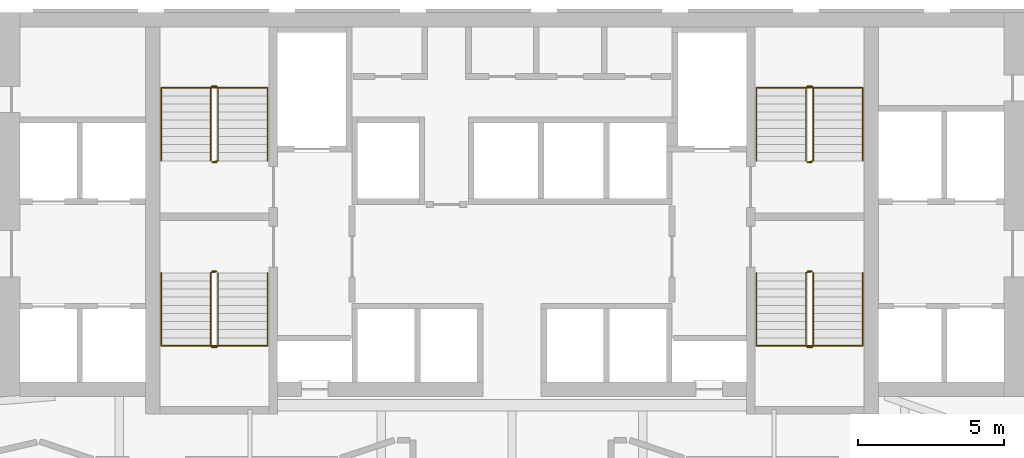
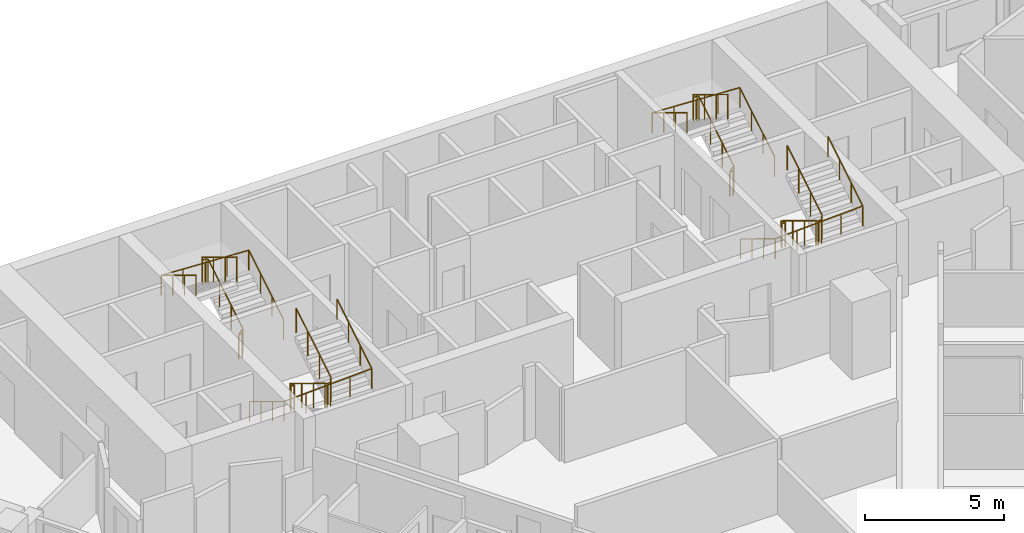
# One storey, part 11 of 11: 8 railings.
"""IFC4 building model written with IfcOpenShell, lengths in metres."""

from ifc_helpers import new_model, si_unit, direction, frame, origin, origin_2d, place, context, subcontext, project, spatial, circle, extrude, material, type_object, element, save


model = new_model("IFC4")

# Units and contexts
model_context = context("Model", 3, precision=1e-05, world=origin(), true_north=direction((0.0, 1.0)))
body_context = subcontext(model_context, "Body", "Model", "MODEL_VIEW")
ifc_project = project(units=[si_unit("LENGTHUNIT", "METRE"), si_unit("AREAUNIT", "SQUARE_METRE"), si_unit("VOLUMEUNIT", "CUBIC_METRE"), si_unit("PLANEANGLEUNIT", "RADIAN"), si_unit("MASSUNIT", "GRAM", prefix="KILO")], contexts=[model_context])

# Site, building, storey
site_placement = place(None, origin())
site = spatial("IfcSite", under=ifc_project, at=site_placement, CompositionType="ELEMENT")
building_placement = place(site_placement, origin())
building = spatial("IfcBuilding", under=site, at=building_placement, Name="Calabash Gate Tower", CompositionType="ELEMENT")
storey_placement = place(building_placement, frame((0.0, 0.0, 52.800048828125)))
storey = spatial("IfcBuildingStorey", under=building, at=storey_placement, Name="L08", CompositionType="ELEMENT", Elevation=52.800048828125)

# Railings
ifc_material_1 = material(Name="Black powder-coated steel balusters", Category="steel")
railing_type_1 = type_object("IfcRailingType", Name="Stair guard RL1100", PredefinedType="GUARDRAIL", material=ifc_material_1)
railing_1_placement = place(storey_placement, frame((-10.14990234375, 13.902587890625, 0.0)))
element("IfcRailing", 1, at=railing_1_placement, inside=storey, type_object=railing_type_1, Name="L08 ST1 stair guard 1", PredefinedType="GUARDRAIL", context=body_context, shape_type="SweptSolid", body=[
    extrude(circle(Radius=0.02392578125, at=origin_2d()), frame((0.0, 0.0, 1.076171875), z_axis=(-1.0, 0.0, 0.0), x_axis=(0.0, -1.0, 0.0)), (0.0, 0.0, 1.0), 0.150146484375),
    extrude(circle(Radius=0.02392578125, at=origin_2d()), frame((-0.150146484375, 0.0, 1.076171875), z_axis=(0.748514443355, 0.187357095101, 0.636100186295), x_axis=(-0.242814311512, 0.970072785993, 0.0)), (0.0, 0.0, 1.0), 0.26708984375),
    extrude(circle(Radius=0.02392578125, at=origin_2d()), frame((0.0498046875, 0.050048828125, 1.24609375), z_axis=(0.0, 0.853956361026, 0.520344629514), x_axis=(-1.0, 0.0, 0.0)), (0.0, 0.0, 1.0), 2.9404296875),
    extrude(circle(Radius=0.02392578125, at=origin_2d()), frame((0.0498046875, 2.56103515625, 2.77587890625), z_axis=(-0.705375805398, 0.708833529934, 0.0), x_axis=(-0.708833529934, -0.705375805398, 0.0)), (0.0, 0.0, 1.0), 0.070556640625),
    extrude(circle(Radius=0.02392578125, at=origin_2d()), frame((0.0, 2.611083984375, 2.77587890625), z_axis=(-1.0, 0.0, 0.0), x_axis=(0.0, -1.0, 0.0)), (0.0, 0.0, 1.0), 0.150146484375),
    extrude(circle(Radius=0.02392578125, at=origin_2d()), frame((-0.150146484375, 2.611083984375, 2.77587890625), z_axis=(-0.271895245746, -0.271895245746, 0.923117517265), x_axis=(0.707106781187, -0.707106781187, 0.0)), (0.0, 0.0, 1.0), 0.18408203125),
    extrude(circle(Radius=0.02392578125, at=origin_2d()), frame((-0.2001953125, 2.56103515625, 2.94580078125), z_axis=(0.0, -0.853956361026, 0.520344629514), x_axis=(1.0, 0.0, 0.0)), (0.0, 0.0, 1.0), 2.9404296875),
    extrude(circle(Radius=0.02099609375, at=origin_2d()), origin(), (0.0, 0.0, 1.0), 1.052001953125),
    extrude(circle(Radius=0.02099609375, at=origin_2d()), frame((-0.150146484375, 0.0, 0.0)), (0.0, 0.0, 1.0), 1.052001953125),
    extrude(circle(Radius=0.02099609375, at=origin_2d()), frame((0.0498046875, 0.050048828125, 0.169921875)), (0.0, 0.0, 1.0), 1.052001953125),
    extrude(circle(Radius=0.02099609375, at=origin_2d()), frame((0.0498046875, 0.886962890625, 0.679931640625)), (0.0, 0.0, 1.0), 1.052001953125),
    extrude(circle(Radius=0.02099609375, at=origin_2d()), frame((0.0498046875, 1.72412109375, 1.18994140625)), (0.0, 0.0, 1.0), 1.052001953125),
    extrude(circle(Radius=0.02099609375, at=origin_2d()), frame((0.0498046875, 2.56103515625, 1.699951171875)), (0.0, 0.0, 1.0), 1.052001953125),
    extrude(circle(Radius=0.02099609375, at=origin_2d()), frame((0.0, 2.611083984375, 1.699951171875)), (0.0, 0.0, 1.0), 1.052001953125),
    extrude(circle(Radius=0.02099609375, at=origin_2d()), frame((-0.150146484375, 2.611083984375, 1.699951171875)), (0.0, 0.0, 1.0), 1.052001953125),
    extrude(circle(Radius=0.02099609375, at=origin_2d()), frame((-0.2001953125, 2.56103515625, 1.869873046875)), (0.0, 0.0, 1.0), 1.052001953125),
    extrude(circle(Radius=0.02099609375, at=origin_2d()), frame((-0.2001953125, 1.72412109375, 2.3798828125)), (0.0, 0.0, 1.0), 1.052001953125),
    extrude(circle(Radius=0.02099609375, at=origin_2d()), frame((-0.2001953125, 0.886962890625, 2.889892578125)), (0.0, 0.0, 1.0), 1.052001953125),
    extrude(circle(Radius=0.02099609375, at=origin_2d()), frame((-0.2001953125, 0.050048828125, 3.39990234375)), (0.0, 0.0, 1.0), 1.052001953125),
])
railing_2_placement = place(storey_placement, frame((-10.300048828125, 10.152587890625, 0.0)))
element("IfcRailing", 2, at=railing_2_placement, inside=storey, type_object=railing_type_1, Name="L08 ST2 stair guard 1", PredefinedType="GUARDRAIL", context=body_context, shape_type="SweptSolid", body=[
    extrude(circle(Radius=0.02392578125, at=origin_2d()), frame((0.0, 0.0, 1.076171875), z_axis=(1.0, 0.0, 0.0), x_axis=(0.0, 1.0, 0.0)), (0.0, 0.0, 1.0), 0.150146484375),
    extrude(circle(Radius=0.02392578125, at=origin_2d()), frame((0.150146484375, 0.0, 1.076171875), z_axis=(-0.748915913269, -0.187228978317, 0.635665214189), x_axis=(0.242535625036, -0.970142500145, 0.0)), (0.0, 0.0, 1.0), 0.267333984375),
    extrude(circle(Radius=0.02392578125, at=origin_2d()), frame((-0.050048828125, -0.050048828125, 1.24609375), z_axis=(0.0, -0.853956361026, 0.520344629514), x_axis=(1.0, 0.0, 0.0)), (0.0, 0.0, 1.0), 2.9404296875),
    extrude(circle(Radius=0.02392578125, at=origin_2d()), frame((-0.050048828125, -2.56103515625, 2.77587890625), z_axis=(0.707106781187, -0.707106781187, 0.0), x_axis=(0.707106781187, 0.707106781187, 0.0)), (0.0, 0.0, 1.0), 0.07080078125),
    extrude(circle(Radius=0.02392578125, at=origin_2d()), frame((0.0, -2.611083984375, 2.77587890625), z_axis=(1.0, 0.0, 0.0), x_axis=(0.0, 1.0, 0.0)), (0.0, 0.0, 1.0), 0.150146484375),
    extrude(circle(Radius=0.02392578125, at=origin_2d()), frame((0.150146484375, -2.611083984375, 2.77587890625), z_axis=(0.270666314514, 0.271993110173, 0.92344977893), x_axis=(-0.708833529934, 0.705375805398, 0.0)), (0.0, 0.0, 1.0), 0.18408203125),
    extrude(circle(Radius=0.02392578125, at=origin_2d()), frame((0.199951171875, -2.56103515625, 2.94580078125), z_axis=(0.0, 0.853956361026, 0.520344629514), x_axis=(-1.0, 0.0, 0.0)), (0.0, 0.0, 1.0), 2.9404296875),
    extrude(circle(Radius=0.02099609375, at=origin_2d()), origin(), (0.0, 0.0, 1.0), 1.052001953125),
    extrude(circle(Radius=0.02099609375, at=origin_2d()), frame((0.150146484375, 0.0, 0.0)), (0.0, 0.0, 1.0), 1.052001953125),
    extrude(circle(Radius=0.02099609375, at=origin_2d()), frame((-0.050048828125, -0.050048828125, 0.169921875)), (0.0, 0.0, 1.0), 1.052001953125),
    extrude(circle(Radius=0.02099609375, at=origin_2d()), frame((-0.050048828125, -0.886962890625, 0.679931640625)), (0.0, 0.0, 1.0), 1.052001953125),
    extrude(circle(Radius=0.02099609375, at=origin_2d()), frame((-0.050048828125, -1.72412109375, 1.18994140625)), (0.0, 0.0, 1.0), 1.052001953125),
    extrude(circle(Radius=0.02099609375, at=origin_2d()), frame((-0.050048828125, -2.56103515625, 1.699951171875)), (0.0, 0.0, 1.0), 1.052001953125),
    extrude(circle(Radius=0.02099609375, at=origin_2d()), frame((0.0, -2.611083984375, 1.699951171875)), (0.0, 0.0, 1.0), 1.052001953125),
    extrude(circle(Radius=0.02099609375, at=origin_2d()), frame((0.150146484375, -2.611083984375, 1.699951171875)), (0.0, 0.0, 1.0), 1.052001953125),
    extrude(circle(Radius=0.02099609375, at=origin_2d()), frame((0.199951171875, -2.56103515625, 1.869873046875)), (0.0, 0.0, 1.0), 1.052001953125),
    extrude(circle(Radius=0.02099609375, at=origin_2d()), frame((0.199951171875, -1.72412109375, 2.3798828125)), (0.0, 0.0, 1.0), 1.052001953125),
    extrude(circle(Radius=0.02099609375, at=origin_2d()), frame((0.199951171875, -0.886962890625, 2.889892578125)), (0.0, 0.0, 1.0), 1.052001953125),
    extrude(circle(Radius=0.02099609375, at=origin_2d()), frame((0.199951171875, -0.050048828125, 3.39990234375)), (0.0, 0.0, 1.0), 1.052001953125),
])
railing_3_placement = place(storey_placement, frame((10.300048828125, 13.902587890625, 0.0)))
element("IfcRailing", 3, at=railing_3_placement, inside=storey, type_object=railing_type_1, Name="L08 ST3 stair guard 1", PredefinedType="GUARDRAIL", context=body_context, shape_type="SweptSolid", body=[
    extrude(circle(Radius=0.02392578125, at=origin_2d()), frame((0.0, 0.0, 1.076171875), z_axis=(-1.0, 0.0, 0.0), x_axis=(0.0, -1.0, 0.0)), (0.0, 0.0, 1.0), 0.150146484375),
    extrude(circle(Radius=0.02392578125, at=origin_2d()), frame((-0.150146484375, 0.0, 1.076171875), z_axis=(0.748915913269, 0.187228978317, 0.635665214189), x_axis=(-0.242535625036, 0.970142500145, 0.0)), (0.0, 0.0, 1.0), 0.267333984375),
    extrude(circle(Radius=0.02392578125, at=origin_2d()), frame((0.050048828125, 0.050048828125, 1.24609375), z_axis=(0.0, 0.853956361026, 0.520344629514), x_axis=(-1.0, 0.0, 0.0)), (0.0, 0.0, 1.0), 2.9404296875),
    extrude(circle(Radius=0.02392578125, at=origin_2d()), frame((0.050048828125, 2.56103515625, 2.77587890625), z_axis=(-0.707106781187, 0.707106781187, 0.0), x_axis=(-0.707106781187, -0.707106781187, 0.0)), (0.0, 0.0, 1.0), 0.07080078125),
    extrude(circle(Radius=0.02392578125, at=origin_2d()), frame((0.0, 2.611083984375, 2.77587890625), z_axis=(-1.0, 0.0, 0.0), x_axis=(0.0, -1.0, 0.0)), (0.0, 0.0, 1.0), 0.150146484375),
    extrude(circle(Radius=0.02392578125, at=origin_2d()), frame((-0.150146484375, 2.611083984375, 2.77587890625), z_axis=(-0.270666314514, -0.271993110173, 0.92344977893), x_axis=(0.708833529934, -0.705375805398, 0.0)), (0.0, 0.0, 1.0), 0.18408203125),
    extrude(circle(Radius=0.02392578125, at=origin_2d()), frame((-0.199951171875, 2.56103515625, 2.94580078125), z_axis=(0.0, -0.853956361026, 0.520344629514), x_axis=(1.0, 0.0, 0.0)), (0.0, 0.0, 1.0), 2.9404296875),
    extrude(circle(Radius=0.02099609375, at=origin_2d()), origin(), (0.0, 0.0, 1.0), 1.052001953125),
    extrude(circle(Radius=0.02099609375, at=origin_2d()), frame((-0.150146484375, 0.0, 0.0)), (0.0, 0.0, 1.0), 1.052001953125),
    extrude(circle(Radius=0.02099609375, at=origin_2d()), frame((0.050048828125, 0.050048828125, 0.169921875)), (0.0, 0.0, 1.0), 1.052001953125),
    extrude(circle(Radius=0.02099609375, at=origin_2d()), frame((0.050048828125, 0.886962890625, 0.679931640625)), (0.0, 0.0, 1.0), 1.052001953125),
    extrude(circle(Radius=0.02099609375, at=origin_2d()), frame((0.050048828125, 1.72412109375, 1.18994140625)), (0.0, 0.0, 1.0), 1.052001953125),
    extrude(circle(Radius=0.02099609375, at=origin_2d()), frame((0.050048828125, 2.56103515625, 1.699951171875)), (0.0, 0.0, 1.0), 1.052001953125),
    extrude(circle(Radius=0.02099609375, at=origin_2d()), frame((0.0, 2.611083984375, 1.699951171875)), (0.0, 0.0, 1.0), 1.052001953125),
    extrude(circle(Radius=0.02099609375, at=origin_2d()), frame((-0.150146484375, 2.611083984375, 1.699951171875)), (0.0, 0.0, 1.0), 1.052001953125),
    extrude(circle(Radius=0.02099609375, at=origin_2d()), frame((-0.199951171875, 2.56103515625, 1.869873046875)), (0.0, 0.0, 1.0), 1.052001953125),
    extrude(circle(Radius=0.02099609375, at=origin_2d()), frame((-0.199951171875, 1.72412109375, 2.3798828125)), (0.0, 0.0, 1.0), 1.052001953125),
    extrude(circle(Radius=0.02099609375, at=origin_2d()), frame((-0.199951171875, 0.886962890625, 2.889892578125)), (0.0, 0.0, 1.0), 1.052001953125),
    extrude(circle(Radius=0.02099609375, at=origin_2d()), frame((-0.199951171875, 0.050048828125, 3.39990234375)), (0.0, 0.0, 1.0), 1.052001953125),
])
railing_4_placement = place(storey_placement, frame((10.14990234375, 10.152587890625, 0.0)))
element("IfcRailing", 4, at=railing_4_placement, inside=storey, type_object=railing_type_1, Name="L08 ST4 stair guard 1", PredefinedType="GUARDRAIL", context=body_context, shape_type="SweptSolid", body=[
    extrude(circle(Radius=0.02392578125, at=origin_2d()), frame((0.0, 0.0, 1.076171875), z_axis=(1.0, 0.0, 0.0), x_axis=(0.0, 1.0, 0.0)), (0.0, 0.0, 1.0), 0.150146484375),
    extrude(circle(Radius=0.02392578125, at=origin_2d()), frame((0.150146484375, 0.0, 1.076171875), z_axis=(-0.748514443355, -0.187357095101, 0.636100186295), x_axis=(0.242814311512, -0.970072785993, 0.0)), (0.0, 0.0, 1.0), 0.26708984375),
    extrude(circle(Radius=0.02392578125, at=origin_2d()), frame((-0.0498046875, -0.050048828125, 1.24609375), z_axis=(0.0, -0.853956361026, 0.520344629514), x_axis=(1.0, 0.0, 0.0)), (0.0, 0.0, 1.0), 2.9404296875),
    extrude(circle(Radius=0.02392578125, at=origin_2d()), frame((-0.0498046875, -2.56103515625, 2.77587890625), z_axis=(0.705375805398, -0.708833529934, 0.0), x_axis=(0.708833529934, 0.705375805398, 0.0)), (0.0, 0.0, 1.0), 0.070556640625),
    extrude(circle(Radius=0.02392578125, at=origin_2d()), frame((0.0, -2.611083984375, 2.77587890625), z_axis=(1.0, 0.0, 0.0), x_axis=(0.0, 1.0, 0.0)), (0.0, 0.0, 1.0), 0.150146484375),
    extrude(circle(Radius=0.02392578125, at=origin_2d()), frame((0.150146484375, -2.611083984375, 2.77587890625), z_axis=(0.271895245746, 0.271895245746, 0.923117517265), x_axis=(-0.707106781187, 0.707106781187, 0.0)), (0.0, 0.0, 1.0), 0.18408203125),
    extrude(circle(Radius=0.02392578125, at=origin_2d()), frame((0.2001953125, -2.56103515625, 2.94580078125), z_axis=(0.0, 0.853956361026, 0.520344629514), x_axis=(-1.0, 0.0, 0.0)), (0.0, 0.0, 1.0), 2.9404296875),
    extrude(circle(Radius=0.02099609375, at=origin_2d()), origin(), (0.0, 0.0, 1.0), 1.052001953125),
    extrude(circle(Radius=0.02099609375, at=origin_2d()), frame((0.150146484375, 0.0, 0.0)), (0.0, 0.0, 1.0), 1.052001953125),
    extrude(circle(Radius=0.02099609375, at=origin_2d()), frame((-0.0498046875, -0.050048828125, 0.169921875)), (0.0, 0.0, 1.0), 1.052001953125),
    extrude(circle(Radius=0.02099609375, at=origin_2d()), frame((-0.0498046875, -0.886962890625, 0.679931640625)), (0.0, 0.0, 1.0), 1.052001953125),
    extrude(circle(Radius=0.02099609375, at=origin_2d()), frame((-0.0498046875, -1.72412109375, 1.18994140625)), (0.0, 0.0, 1.0), 1.052001953125),
    extrude(circle(Radius=0.02099609375, at=origin_2d()), frame((-0.0498046875, -2.56103515625, 1.699951171875)), (0.0, 0.0, 1.0), 1.052001953125),
    extrude(circle(Radius=0.02099609375, at=origin_2d()), frame((0.0, -2.611083984375, 1.699951171875)), (0.0, 0.0, 1.0), 1.052001953125),
    extrude(circle(Radius=0.02099609375, at=origin_2d()), frame((0.150146484375, -2.611083984375, 1.699951171875)), (0.0, 0.0, 1.0), 1.052001953125),
    extrude(circle(Radius=0.02099609375, at=origin_2d()), frame((0.2001953125, -2.56103515625, 1.869873046875)), (0.0, 0.0, 1.0), 1.052001953125),
    extrude(circle(Radius=0.02099609375, at=origin_2d()), frame((0.2001953125, -1.72412109375, 2.3798828125)), (0.0, 0.0, 1.0), 1.052001953125),
    extrude(circle(Radius=0.02099609375, at=origin_2d()), frame((0.2001953125, -0.886962890625, 2.889892578125)), (0.0, 0.0, 1.0), 1.052001953125),
    extrude(circle(Radius=0.02099609375, at=origin_2d()), frame((0.2001953125, -0.050048828125, 3.39990234375)), (0.0, 0.0, 1.0), 1.052001953125),
])
ifc_material_2 = material(Name="Black powder-coated steel tube 48 mm", Category="steel")
railing_type_2 = type_object("IfcRailingType", Name="Stair handrail RL900", PredefinedType="HANDRAIL", material=ifc_material_2)
railing_5_placement = place(storey_placement, frame((-8.39990234375, 13.95263671875, 0.169921875)))
element("IfcRailing", 5, at=railing_5_placement, inside=storey, type_object=railing_type_2, Name="L08 ST1 stair handrail 1", PredefinedType="HANDRAIL", context=body_context, shape_type="SweptSolid", body=[
    extrude(circle(Radius=0.02392578125, at=origin_2d()), frame((0.0, 0.0, 0.8759765625), z_axis=(0.0, 0.853956361026, 0.520344629514), x_axis=(-1.0, 0.0, 0.0)), (0.0, 0.0, 1.0), 2.9404296875),
    extrude(circle(Radius=0.02392578125, at=origin_2d()), frame((0.0, 2.510986328125, 2.40576171875), z_axis=(-0.998918210324, 0.0, 0.046501710547), x_axis=(0.0, -1.0, 0.0)), (0.0, 0.0, 1.0), 3.654052734375),
    extrude(circle(Radius=0.02392578125, at=origin_2d()), frame((-3.650146484375, 2.510986328125, 2.57568359375), z_axis=(0.0, -0.853956361026, 0.520344629514), x_axis=(1.0, 0.0, 0.0)), (0.0, 0.0, 1.0), 2.9404296875),
    extrude(circle(Radius=0.02099609375, at=origin_2d()), origin(), (0.0, 0.0, 1.0), 0.851806640625),
    extrude(circle(Radius=0.02099609375, at=origin_2d()), frame((0.0, 0.8369140625, 0.510009765625)), (0.0, 0.0, 1.0), 0.851806640625),
    extrude(circle(Radius=0.02099609375, at=origin_2d()), frame((0.0, 1.674072265625, 1.02001953125)), (0.0, 0.0, 1.0), 0.851806640625),
    extrude(circle(Radius=0.02099609375, at=origin_2d()), frame((0.0, 2.510986328125, 1.530029296875)), (0.0, 0.0, 1.0), 0.851806640625),
    extrude(circle(Radius=0.02099609375, at=origin_2d()), frame((-0.91259765625, 2.510986328125, 1.572509765625)), (0.0, 0.0, 1.0), 0.851806640625),
    extrude(circle(Radius=0.02099609375, at=origin_2d()), frame((-1.8251953125, 2.510986328125, 1.614990234375)), (0.0, 0.0, 1.0), 0.851806640625),
    extrude(circle(Radius=0.02099609375, at=origin_2d()), frame((-2.737548828125, 2.510986328125, 1.657470703125)), (0.0, 0.0, 1.0), 0.851806640625),
    extrude(circle(Radius=0.02099609375, at=origin_2d()), frame((-3.650146484375, 2.510986328125, 1.699951171875)), (0.0, 0.0, 1.0), 0.851806640625),
    extrude(circle(Radius=0.02099609375, at=origin_2d()), frame((-3.650146484375, 1.674072265625, 2.2099609375)), (0.0, 0.0, 1.0), 0.851806640625),
    extrude(circle(Radius=0.02099609375, at=origin_2d()), frame((-3.650146484375, 0.8369140625, 2.719970703125)), (0.0, 0.0, 1.0), 0.851806640625),
    extrude(circle(Radius=0.02099609375, at=origin_2d()), frame((-3.650146484375, 0.0, 3.22998046875)), (0.0, 0.0, 1.0), 0.851806640625),
])
railing_6_placement = place(storey_placement, frame((-12.050048828125, 10.1025390625, 0.169921875)))
element("IfcRailing", 6, at=railing_6_placement, inside=storey, type_object=railing_type_2, Name="L08 ST2 stair handrail 1", PredefinedType="HANDRAIL", context=body_context, shape_type="SweptSolid", body=[
    extrude(circle(Radius=0.02392578125, at=origin_2d()), frame((0.0, 0.0, 0.8759765625), z_axis=(0.0, -0.853956361026, 0.520344629514), x_axis=(1.0, 0.0, 0.0)), (0.0, 0.0, 1.0), 2.9404296875),
    extrude(circle(Radius=0.02392578125, at=origin_2d()), frame((0.0, -2.510986328125, 2.40576171875), z_axis=(0.998918210324, 0.0, 0.046501710547), x_axis=(0.0, 1.0, 0.0)), (0.0, 0.0, 1.0), 3.654052734375),
    extrude(circle(Radius=0.02392578125, at=origin_2d()), frame((3.650146484375, -2.510986328125, 2.57568359375), z_axis=(0.0, 0.853956361026, 0.520344629514), x_axis=(-1.0, 0.0, 0.0)), (0.0, 0.0, 1.0), 2.9404296875),
    extrude(circle(Radius=0.02099609375, at=origin_2d()), origin(), (0.0, 0.0, 1.0), 0.851806640625),
    extrude(circle(Radius=0.02099609375, at=origin_2d()), frame((0.0, -0.8369140625, 0.510009765625)), (0.0, 0.0, 1.0), 0.851806640625),
    extrude(circle(Radius=0.02099609375, at=origin_2d()), frame((0.0, -1.674072265625, 1.02001953125)), (0.0, 0.0, 1.0), 0.851806640625),
    extrude(circle(Radius=0.02099609375, at=origin_2d()), frame((0.0, -2.510986328125, 1.530029296875)), (0.0, 0.0, 1.0), 0.851806640625),
    extrude(circle(Radius=0.02099609375, at=origin_2d()), frame((0.91259765625, -2.510986328125, 1.572509765625)), (0.0, 0.0, 1.0), 0.851806640625),
    extrude(circle(Radius=0.02099609375, at=origin_2d()), frame((1.8251953125, -2.510986328125, 1.614990234375)), (0.0, 0.0, 1.0), 0.851806640625),
    extrude(circle(Radius=0.02099609375, at=origin_2d()), frame((2.737548828125, -2.510986328125, 1.657470703125)), (0.0, 0.0, 1.0), 0.851806640625),
    extrude(circle(Radius=0.02099609375, at=origin_2d()), frame((3.650146484375, -2.510986328125, 1.699951171875)), (0.0, 0.0, 1.0), 0.851806640625),
    extrude(circle(Radius=0.02099609375, at=origin_2d()), frame((3.650146484375, -1.674072265625, 2.2099609375)), (0.0, 0.0, 1.0), 0.851806640625),
    extrude(circle(Radius=0.02099609375, at=origin_2d()), frame((3.650146484375, -0.8369140625, 2.719970703125)), (0.0, 0.0, 1.0), 0.851806640625),
    extrude(circle(Radius=0.02099609375, at=origin_2d()), frame((3.650146484375, 0.0, 3.22998046875)), (0.0, 0.0, 1.0), 0.851806640625),
])
railing_7_placement = place(storey_placement, frame((12.050048828125, 13.95263671875, 0.169921875)))
element("IfcRailing", 7, at=railing_7_placement, inside=storey, type_object=railing_type_2, Name="L08 ST3 stair handrail 1", PredefinedType="HANDRAIL", context=body_context, shape_type="SweptSolid", body=[
    extrude(circle(Radius=0.02392578125, at=origin_2d()), frame((0.0, 0.0, 0.8759765625), z_axis=(0.0, 0.853956361026, 0.520344629514), x_axis=(-1.0, 0.0, 0.0)), (0.0, 0.0, 1.0), 2.9404296875),
    extrude(circle(Radius=0.02392578125, at=origin_2d()), frame((0.0, 2.510986328125, 2.40576171875), z_axis=(-0.998918210324, 0.0, 0.046501710547), x_axis=(0.0, -1.0, 0.0)), (0.0, 0.0, 1.0), 3.654052734375),
    extrude(circle(Radius=0.02392578125, at=origin_2d()), frame((-3.650146484375, 2.510986328125, 2.57568359375), z_axis=(0.0, -0.853956361026, 0.520344629514), x_axis=(1.0, 0.0, 0.0)), (0.0, 0.0, 1.0), 2.9404296875),
    extrude(circle(Radius=0.02099609375, at=origin_2d()), origin(), (0.0, 0.0, 1.0), 0.851806640625),
    extrude(circle(Radius=0.02099609375, at=origin_2d()), frame((0.0, 0.8369140625, 0.510009765625)), (0.0, 0.0, 1.0), 0.851806640625),
    extrude(circle(Radius=0.02099609375, at=origin_2d()), frame((0.0, 1.674072265625, 1.02001953125)), (0.0, 0.0, 1.0), 0.851806640625),
    extrude(circle(Radius=0.02099609375, at=origin_2d()), frame((0.0, 2.510986328125, 1.530029296875)), (0.0, 0.0, 1.0), 0.851806640625),
    extrude(circle(Radius=0.02099609375, at=origin_2d()), frame((-0.91259765625, 2.510986328125, 1.572509765625)), (0.0, 0.0, 1.0), 0.851806640625),
    extrude(circle(Radius=0.02099609375, at=origin_2d()), frame((-1.8251953125, 2.510986328125, 1.614990234375)), (0.0, 0.0, 1.0), 0.851806640625),
    extrude(circle(Radius=0.02099609375, at=origin_2d()), frame((-2.737548828125, 2.510986328125, 1.657470703125)), (0.0, 0.0, 1.0), 0.851806640625),
    extrude(circle(Radius=0.02099609375, at=origin_2d()), frame((-3.650146484375, 2.510986328125, 1.699951171875)), (0.0, 0.0, 1.0), 0.851806640625),
    extrude(circle(Radius=0.02099609375, at=origin_2d()), frame((-3.650146484375, 1.674072265625, 2.2099609375)), (0.0, 0.0, 1.0), 0.851806640625),
    extrude(circle(Radius=0.02099609375, at=origin_2d()), frame((-3.650146484375, 0.8369140625, 2.719970703125)), (0.0, 0.0, 1.0), 0.851806640625),
    extrude(circle(Radius=0.02099609375, at=origin_2d()), frame((-3.650146484375, 0.0, 3.22998046875)), (0.0, 0.0, 1.0), 0.851806640625),
])
railing_8_placement = place(storey_placement, frame((8.39990234375, 10.1025390625, 0.169921875)))
element("IfcRailing", 8, at=railing_8_placement, inside=storey, type_object=railing_type_2, Name="L08 ST4 stair handrail 1", PredefinedType="HANDRAIL", context=body_context, shape_type="SweptSolid", body=[
    extrude(circle(Radius=0.02392578125, at=origin_2d()), frame((0.0, 0.0, 0.8759765625), z_axis=(0.0, -0.853956361026, 0.520344629514), x_axis=(1.0, 0.0, 0.0)), (0.0, 0.0, 1.0), 2.9404296875),
    extrude(circle(Radius=0.02392578125, at=origin_2d()), frame((0.0, -2.510986328125, 2.40576171875), z_axis=(0.998918210324, 0.0, 0.046501710547), x_axis=(0.0, 1.0, 0.0)), (0.0, 0.0, 1.0), 3.654052734375),
    extrude(circle(Radius=0.02392578125, at=origin_2d()), frame((3.650146484375, -2.510986328125, 2.57568359375), z_axis=(0.0, 0.853956361026, 0.520344629514), x_axis=(-1.0, 0.0, 0.0)), (0.0, 0.0, 1.0), 2.9404296875),
    extrude(circle(Radius=0.02099609375, at=origin_2d()), origin(), (0.0, 0.0, 1.0), 0.851806640625),
    extrude(circle(Radius=0.02099609375, at=origin_2d()), frame((0.0, -0.8369140625, 0.510009765625)), (0.0, 0.0, 1.0), 0.851806640625),
    extrude(circle(Radius=0.02099609375, at=origin_2d()), frame((0.0, -1.674072265625, 1.02001953125)), (0.0, 0.0, 1.0), 0.851806640625),
    extrude(circle(Radius=0.02099609375, at=origin_2d()), frame((0.0, -2.510986328125, 1.530029296875)), (0.0, 0.0, 1.0), 0.851806640625),
    extrude(circle(Radius=0.02099609375, at=origin_2d()), frame((0.91259765625, -2.510986328125, 1.572509765625)), (0.0, 0.0, 1.0), 0.851806640625),
    extrude(circle(Radius=0.02099609375, at=origin_2d()), frame((1.8251953125, -2.510986328125, 1.614990234375)), (0.0, 0.0, 1.0), 0.851806640625),
    extrude(circle(Radius=0.02099609375, at=origin_2d()), frame((2.737548828125, -2.510986328125, 1.657470703125)), (0.0, 0.0, 1.0), 0.851806640625),
    extrude(circle(Radius=0.02099609375, at=origin_2d()), frame((3.650146484375, -2.510986328125, 1.699951171875)), (0.0, 0.0, 1.0), 0.851806640625),
    extrude(circle(Radius=0.02099609375, at=origin_2d()), frame((3.650146484375, -1.674072265625, 2.2099609375)), (0.0, 0.0, 1.0), 0.851806640625),
    extrude(circle(Radius=0.02099609375, at=origin_2d()), frame((3.650146484375, -0.8369140625, 2.719970703125)), (0.0, 0.0, 1.0), 0.851806640625),
    extrude(circle(Radius=0.02099609375, at=origin_2d()), frame((3.650146484375, 0.0, 3.22998046875)), (0.0, 0.0, 1.0), 0.851806640625),
])

save(model, "model.ifc")
